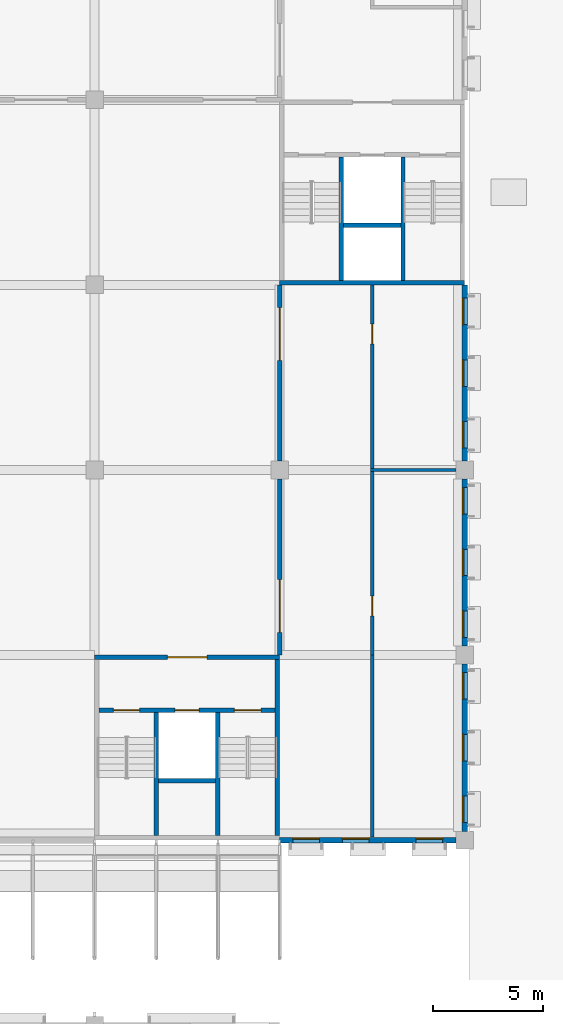
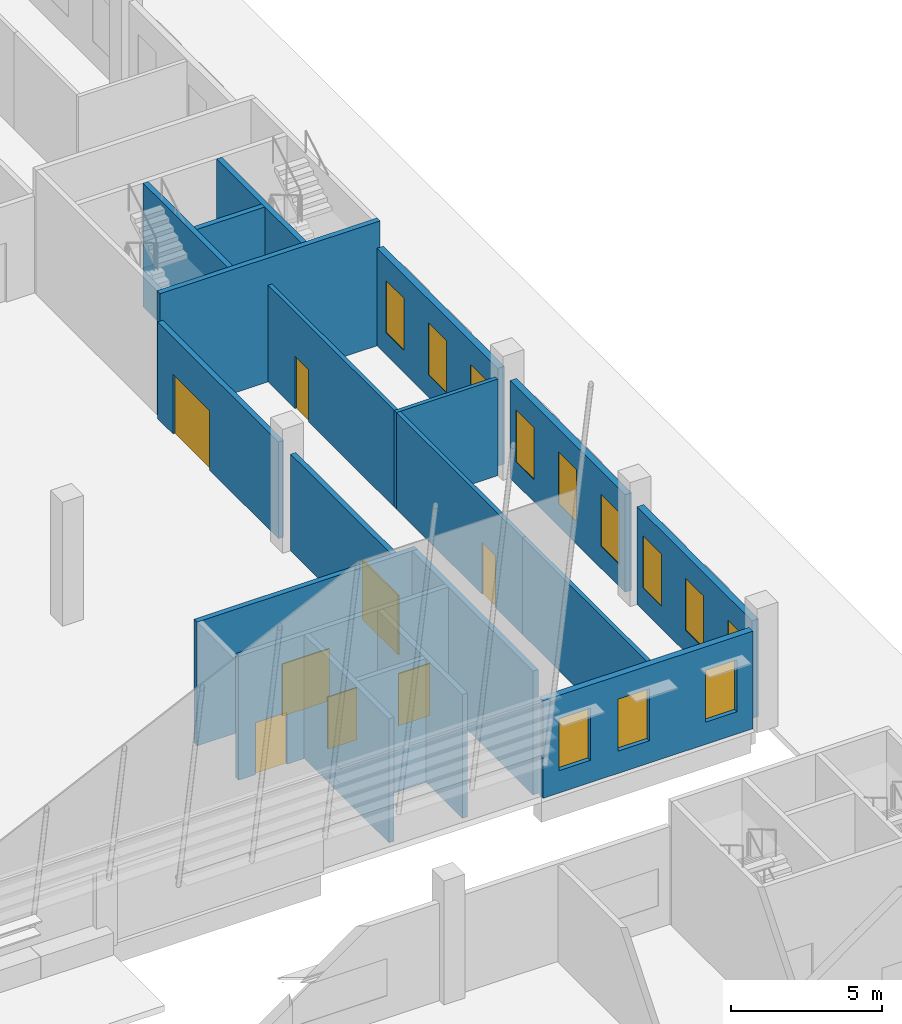
# One storey, part 40 of 101: 20 walls, 12 windows, 8 doors, 20 openings.
"""IFC4 building model written with IfcOpenShell, lengths in metres."""

from ifc_helpers import new_model, si_unit, direction, frame, frame_2d, origin, place, context, subcontext, project, spatial, rectangle, extrude, material, layer, layer_set, type_object, element, fill, save


model = new_model("IFC4")

# Units and contexts
model_context = context("Model", 3, precision=1e-05, world=origin(), true_north=direction((0.0, 1.0)))
body_context = subcontext(model_context, "Body", "Model", "MODEL_VIEW")
ifc_project = project(units=[si_unit("LENGTHUNIT", "METRE"), si_unit("AREAUNIT", "SQUARE_METRE"), si_unit("VOLUMEUNIT", "CUBIC_METRE"), si_unit("PLANEANGLEUNIT", "RADIAN"), si_unit("MASSUNIT", "GRAM", prefix="KILO")], contexts=[model_context])

# Site, building, storey
site_placement = place(None, origin())
site = spatial("IfcSite", under=ifc_project, at=site_placement, CompositionType="ELEMENT")
building_placement = place(site_placement, origin())
building = spatial("IfcBuilding", under=site, at=building_placement, Name="Almond Square Museum", CompositionType="ELEMENT")
storey_placement = place(building_placement, frame((0.0, 0.0, 5.5)))
storey = spatial("IfcBuildingStorey", under=building, at=storey_placement, Name="L01", CompositionType="ELEMENT", Elevation=5.5)

# Wall, opening, door
ifc_material_1 = material(Name="Painted gypsum board on steel stud", Category="steel")
ifc_layer_1 = layer(ifc_material_1, 0.199951171875)
ifc_layer_set_1 = layer_set([ifc_layer_1], Name="Painted gypsum board on steel stud")
wall_type_1 = type_object("IfcWallType", Name="Gallery wall 200 painted board on stud", PredefinedType="PARTITIONING", material=ifc_layer_set_1)
wall_1_placement = place(storey_placement, frame((148.800048828125, 58.800048828125, 0.0), z_axis=(0.0, 0.0, 1.0), x_axis=(0.0, 1.0, 0.0)))
wall_1 = element("IfcWall", 1, at=wall_1_placement, inside=storey, type_object=wall_type_1, Name="L01 partition 37", PredefinedType="PARTITIONING", context=body_context, shape_type="SweptSolid", body=[
    extrude(rectangle(XDim=8.0, YDim=0.199951171875, at=frame_2d((4.0, 0.0))), origin(), (0.0, 0.0, 1.0), 3.89990234375),
])
opening_1_placement = place(wall_1_placement, frame((1.02490234375, 0.0, 0.0)))
opening_1 = element("IfcOpeningElement", 2, at=opening_1_placement, cuts=wall_1, Name="Opening D1149", PredefinedType="OPENING", context=body_context, shape_type="SweptSolid", body=[
    extrude(rectangle(XDim=2.39990234375, YDim=2.39990234375, at=frame_2d((1.199951171875, 1.199951171875))), frame((0.0, 0.10986328125, 0.0), z_axis=(0.0, -1.0, 0.0), x_axis=(1.0, 0.0, 0.0)), (0.0, 0.0, 1.0), 0.219970703125),
])
ifc_material_2 = material(Name="Timber", Category="wood")
door_type_1 = type_object("IfcDoorType", Name="Gallery door 2400 x 2400 timber double", OperationType="NOTDEFINED", PredefinedType="DOOR", material=ifc_material_2)
door_1_placement = place(opening_1_placement, origin())
door_1 = element("IfcDoor", 3, at=door_1_placement, inside=storey, type_object=door_type_1, Name="L01 door Collection Gallery to Wing Corridor 2", OperationType="DOUBLE_DOOR_SINGLE_SWING", OverallHeight=2.39990234375, OverallWidth=2.39990234375, PredefinedType="DOOR", context=body_context, shape_type="SweptSolid", body=[
    extrude(rectangle(XDim=2.39990234375, YDim=2.39990234375, at=frame_2d((1.199951171875, 1.199951171875))), frame((0.0, 0.02490234375, 0.0), z_axis=(0.0, -1.0, 0.0), x_axis=(1.0, 0.0, 0.0)), (0.0, 0.0, 1.0), 0.050048828125),
])
fill(opening_1, door_1)

wall_2_placement = place(storey_placement, frame((148.800048828125, 67.60009765625, 0.0), z_axis=(0.0, 0.0, 1.0), x_axis=(0.0, 1.0, 0.0)))
wall_2 = element("IfcWall", 4, at=wall_2_placement, inside=storey, type_object=wall_type_1, Name="L01 partition 38", PredefinedType="PARTITIONING", context=body_context, shape_type="SweptSolid", body=[
    extrude(rectangle(XDim=8.0, YDim=0.199951171875, at=frame_2d((4.0, 0.0))), origin(), (0.0, 0.0, 1.0), 3.89990234375),
])
opening_2_placement = place(wall_2_placement, frame((4.574951171875, 0.0, 0.0)))
opening_2 = element("IfcOpeningElement", 5, at=opening_2_placement, cuts=wall_2, Name="Opening D1150", PredefinedType="OPENING", context=body_context, shape_type="SweptSolid", body=[
    extrude(rectangle(XDim=2.39990234375, YDim=2.39990234375, at=frame_2d((1.199951171875, 1.199951171875))), frame((0.0, 0.10986328125, 0.0), z_axis=(0.0, -1.0, 0.0), x_axis=(1.0, 0.0, 0.0)), (0.0, 0.0, 1.0), 0.219970703125),
])
door_2_placement = place(opening_2_placement, origin())
door_2 = element("IfcDoor", 6, at=door_2_placement, inside=storey, type_object=door_type_1, Name="L01 door Collection Gallery to Wing Corridor 2", OperationType="DOUBLE_DOOR_SINGLE_SWING", OverallHeight=2.39990234375, OverallWidth=2.39990234375, PredefinedType="DOOR", context=body_context, shape_type="SweptSolid", body=[
    extrude(rectangle(XDim=2.39990234375, YDim=2.39990234375, at=frame_2d((1.199951171875, 1.199951171875))), frame((0.0, 0.02490234375, 0.0), z_axis=(0.0, -1.0, 0.0), x_axis=(1.0, 0.0, 0.0)), (0.0, 0.0, 1.0), 0.050048828125),
])
fill(opening_2, door_2)

ifc_material_3 = material(Name="Plasterboard on steel stud", Category="steel")
ifc_layer_2 = layer(ifc_material_3, 0.14990234375)
ifc_layer_set_2 = layer_set([ifc_layer_2], Name="Plasterboard on steel stud")
wall_type_2 = type_object("IfcWallType", Name="Partition 150 plasterboard on steel stud", PredefinedType="PARTITIONING", material=ifc_layer_set_2)
wall_3_placement = place(storey_placement, frame((153.0, 67.27490234375, 0.0), z_axis=(0.0, 0.0, 1.0), x_axis=(0.0, 1.0, 0.0)))
wall_3 = element("IfcWall", 7, at=wall_3_placement, inside=storey, type_object=wall_type_2, Name="L01 partition 35", PredefinedType="PARTITIONING", context=body_context, shape_type="SweptSolid", body=[
    extrude(rectangle(XDim=8.3251953125, YDim=0.14990234375, at=frame_2d((4.16259765625, 0.0))), origin(), (0.0, 0.0, 1.0), 3.89990234375),
])
opening_3_placement = place(wall_3_placement, frame((5.64990234375, 0.0, 0.0)))
opening_3 = element("IfcOpeningElement", 8, at=opening_3_placement, cuts=wall_3, Name="Opening D1110", PredefinedType="OPENING", context=body_context, shape_type="SweptSolid", body=[
    extrude(rectangle(XDim=0.89990234375, YDim=2.10009765625, at=frame_2d((0.449951171875, 1.050048828125))), frame((0.0, 0.0849609375, 0.0), z_axis=(0.0, -1.0, 0.0), x_axis=(1.0, 0.0, 0.0)), (0.0, 0.0, 1.0), 0.169921875),
])
ifc_material_4 = material(Name="Timber", Category="wood")
door_type_2 = type_object("IfcDoorType", Name="Door 900 x 2100 timber single", OperationType="NOTDEFINED", PredefinedType="DOOR", material=ifc_material_4)
door_3_placement = place(opening_3_placement, origin())
door_3 = element("IfcDoor", 9, at=door_3_placement, inside=storey, type_object=door_type_2, Name="L01 door Staff Meeting Room 1 to Wing Corridor 2", OperationType="SINGLE_SWING_RIGHT", OverallHeight=2.10009765625, OverallWidth=0.89990234375, PredefinedType="DOOR", context=body_context, shape_type="SweptSolid", body=[
    extrude(rectangle(XDim=0.89990234375, YDim=2.10009765625, at=frame_2d((0.449951171875, 1.050048828125))), frame((0.0, 0.02490234375, 0.0), z_axis=(0.0, -1.0, 0.0), x_axis=(1.0, 0.0, 0.0)), (0.0, 0.0, 1.0), 0.050048828125),
])
fill(opening_3, door_3)

# Walls
wall_4_placement = place(storey_placement, frame((152.925048828125, 67.199951171875, 0.0), z_axis=(0.0, 0.0, 1.0), x_axis=(1.0, 0.0, 0.0)))
element("IfcWall", 10, at=wall_4_placement, inside=storey, type_object=wall_type_2, Name="L01 partition 36", PredefinedType="PARTITIONING", context=body_context, shape_type="SweptSolid", body=[
    extrude(rectangle(XDim=3.875, YDim=0.14990234375, at=frame_2d((1.9375, 0.0))), origin(), (0.0, 0.0, 1.0), 3.89990234375),
])
wall_5_placement = place(storey_placement, frame((153.0, 50.550048828125, 0.0), z_axis=(0.0, 0.0, 1.0), x_axis=(0.0, 1.0, 0.0)))
element("IfcWall", 11, at=wall_5_placement, inside=storey, type_object=wall_type_2, Name="L01 partition 39", PredefinedType="PARTITIONING", context=body_context, shape_type="SweptSolid", body=[
    extrude(rectangle(XDim=8.25, YDim=0.14990234375, at=frame_2d((4.125, 0.0))), origin(), (0.0, 0.0, 1.0), 3.89990234375),
])

# Wall, opening, door
wall_6_placement = place(storey_placement, frame((153.0, 58.800048828125, 0.0), z_axis=(0.0, 0.0, 1.0), x_axis=(0.0, 1.0, 0.0)))
wall_6 = element("IfcWall", 12, at=wall_6_placement, inside=storey, type_object=wall_type_2, Name="L01 partition 40", PredefinedType="PARTITIONING", context=body_context, shape_type="SweptSolid", body=[
    extrude(rectangle(XDim=8.324951171875, YDim=0.14990234375, at=frame_2d((4.16259765625, 0.0))), origin(), (0.0, 0.0, 1.0), 3.89990234375),
])
opening_4_placement = place(wall_6_placement, frame((1.77490234375, 0.0, 0.0)))
opening_4 = element("IfcOpeningElement", 13, at=opening_4_placement, cuts=wall_6, Name="Opening D1114", PredefinedType="OPENING", context=body_context, shape_type="SweptSolid", body=[
    extrude(rectangle(XDim=0.89990234375, YDim=2.10009765625, at=frame_2d((0.449951171875, 1.050048828125))), frame((0.0, 0.0849609375, 0.0), z_axis=(0.0, -1.0, 0.0), x_axis=(1.0, 0.0, 0.0)), (0.0, 0.0, 1.0), 0.169921875),
])
door_4_placement = place(opening_4_placement, origin())
door_4 = element("IfcDoor", 14, at=door_4_placement, inside=storey, type_object=door_type_2, Name="L01 door Administration Office to Wing Corridor 2", OperationType="SINGLE_SWING_LEFT", OverallHeight=2.10009765625, OverallWidth=0.89990234375, PredefinedType="DOOR", context=body_context, shape_type="SweptSolid", body=[
    extrude(rectangle(XDim=0.89990234375, YDim=2.10009765625, at=frame_2d((0.449951171875, 1.050048828125))), frame((0.0, 0.02490234375, 0.0), z_axis=(0.0, -1.0, 0.0), x_axis=(1.0, 0.0, 0.0)), (0.0, 0.0, 1.0), 0.050048828125),
])
fill(opening_4, door_4)

# Wall, openings, windows
ifc_material_5 = material(Name="Precast concrete C40/50", Category="concrete")
ifc_layer_3 = layer(ifc_material_5, 0.25)
ifc_layer_set_3 = layer_set([ifc_layer_3], Name="Precast concrete C40/50")
wall_type_3 = type_object("IfcWallType", Name="Precast concrete panel wall 250 with coral limestone piers", PredefinedType="SOLIDWALL", material=ifc_layer_set_3)
wall_7_placement = place(storey_placement, frame((148.800048828125, 50.39990234375, 0.0), z_axis=(0.0, 0.0, 1.0), x_axis=(1.0, 0.0, 0.0)))
wall_7 = element("IfcWall", 15, at=wall_7_placement, inside=storey, type_object=wall_type_3, Name="External wall W2 V4E L01 S01", PredefinedType="SOLIDWALL", context=body_context, shape_type="SweptSolid", body=[
    extrude(rectangle(XDim=8.0, YDim=0.25, at=frame_2d((4.0, 0.0))), origin(), (0.0, 0.0, 1.0), 3.93994140625),
])
opening_5_placement = place(wall_7_placement, frame((0.60009765625, 0.0, 0.89990234375)))
opening_5 = element("IfcOpeningElement", 16, at=opening_5_placement, cuts=wall_7, Name="Opening W1060", PredefinedType="OPENING", context=body_context, shape_type="SweptSolid", body=[
    extrude(rectangle(XDim=1.199951171875, YDim=2.10009765625, at=frame_2d((0.60009765625, 1.050048828125))), frame((0.0, 0.135009765625, 0.0), z_axis=(0.0, -1.0, 0.0), x_axis=(1.0, 0.0, 0.0)), (0.0, 0.0, 1.0), 0.27001953125),
])
opening_6_placement = place(wall_7_placement, frame((2.85009765625, 0.0, 0.89990234375)))
opening_6 = element("IfcOpeningElement", 17, at=opening_6_placement, cuts=wall_7, Name="Opening W1061", PredefinedType="OPENING", context=body_context, shape_type="SweptSolid", body=[
    extrude(rectangle(XDim=1.199951171875, YDim=2.10009765625, at=frame_2d((0.60009765625, 1.050048828125))), frame((0.0, 0.135009765625, 0.0), z_axis=(0.0, -1.0, 0.0), x_axis=(1.0, 0.0, 0.0)), (0.0, 0.0, 1.0), 0.27001953125),
])
opening_7_placement = place(wall_7_placement, frame((6.199951171875, 0.0, 0.89990234375)))
opening_7 = element("IfcOpeningElement", 18, at=opening_7_placement, cuts=wall_7, Name="Opening W1062", PredefinedType="OPENING", context=body_context, shape_type="SweptSolid", body=[
    extrude(rectangle(XDim=1.199951171875, YDim=2.10009765625, at=frame_2d((0.60009765625, 1.050048828125))), frame((0.0, 0.135009765625, 0.0), z_axis=(0.0, -1.0, 0.0), x_axis=(1.0, 0.0, 0.0)), (0.0, 0.0, 1.0), 0.27001953125),
])
ifc_material_6 = material(Name="Anodised aluminium louvre and laminated glass", Category="aluminium")
window_type = type_object("IfcWindowType", Name="Louvred pier window", PartitioningType="SINGLE_PANEL", PredefinedType="WINDOW", material=ifc_material_6)
window_1_placement = place(opening_5_placement, origin())
window_1 = element("IfcWindow", 19, at=window_1_placement, inside=storey, type_object=window_type, Name="Louvred pier window W1060", OverallHeight=2.10009765625, OverallWidth=1.199951171875, PartitioningType="SINGLE_PANEL", PredefinedType="WINDOW", context=body_context, shape_type="SweptSolid", body=[
    extrude(rectangle(XDim=1.199951171875, YDim=2.10009765625, at=frame_2d((0.60009765625, 1.050048828125))), frame((0.0, 0.10498046875, 0.0), z_axis=(0.0, -1.0, 0.0), x_axis=(1.0, 0.0, 0.0)), (0.0, 0.0, 1.0), 0.06005859375),
])
fill(opening_5, window_1)
window_2_placement = place(opening_6_placement, origin())
window_2 = element("IfcWindow", 20, at=window_2_placement, inside=storey, type_object=window_type, Name="Louvred pier window W1061", OverallHeight=2.10009765625, OverallWidth=1.199951171875, PartitioningType="SINGLE_PANEL", PredefinedType="WINDOW", context=body_context, shape_type="SweptSolid", body=[
    extrude(rectangle(XDim=1.199951171875, YDim=2.10009765625, at=frame_2d((0.60009765625, 1.050048828125))), frame((0.0, 0.10498046875, 0.0), z_axis=(0.0, -1.0, 0.0), x_axis=(1.0, 0.0, 0.0)), (0.0, 0.0, 1.0), 0.06005859375),
])
fill(opening_6, window_2)
window_3_placement = place(opening_7_placement, origin())
window_3 = element("IfcWindow", 21, at=window_3_placement, inside=storey, type_object=window_type, Name="Louvred pier window W1062", OverallHeight=2.10009765625, OverallWidth=1.199951171875, PartitioningType="SINGLE_PANEL", PredefinedType="WINDOW", context=body_context, shape_type="SweptSolid", body=[
    extrude(rectangle(XDim=1.199951171875, YDim=2.10009765625, at=frame_2d((0.60009765625, 1.050048828125))), frame((0.0, 0.10498046875, 0.0), z_axis=(0.0, -1.0, 0.0), x_axis=(1.0, 0.0, 0.0)), (0.0, 0.0, 1.0), 0.06005859375),
])
fill(opening_7, window_3)

wall_8_placement = place(storey_placement, frame((157.199951171875, 50.800048828125, 0.0), z_axis=(0.0, 0.0, 1.0), x_axis=(0.0, 1.0, 0.0)))
wall_8 = element("IfcWall", 22, at=wall_8_placement, inside=storey, type_object=wall_type_3, Name="External wall W2 V4E L01 E01", PredefinedType="SOLIDWALL", context=body_context, shape_type="SweptSolid", body=[
    extrude(rectangle(XDim=7.599853515625, YDim=0.25, at=frame_2d((3.7998046875, 0.0))), origin(), (0.0, 0.0, 1.0), 3.93994140625),
])
opening_8_placement = place(wall_8_placement, frame((0.39990234375, 0.0, 0.89990234375)))
opening_8 = element("IfcOpeningElement", 23, at=opening_8_placement, cuts=wall_8, Name="Opening W1063", PredefinedType="OPENING", context=body_context, shape_type="SweptSolid", body=[
    extrude(rectangle(XDim=1.199951171875, YDim=2.10009765625, at=frame_2d((0.60009765625, 1.050048828125))), frame((0.0, 0.135009765625, 0.0), z_axis=(0.0, -1.0, 0.0), x_axis=(1.0, 0.0, 0.0)), (0.0, 0.0, 1.0), 0.27001953125),
])
opening_9_placement = place(wall_8_placement, frame((3.199951171875, 0.0, 0.89990234375)))
opening_9 = element("IfcOpeningElement", 24, at=opening_9_placement, cuts=wall_8, Name="Opening W1064", PredefinedType="OPENING", context=body_context, shape_type="SweptSolid", body=[
    extrude(rectangle(XDim=1.199951171875, YDim=2.10009765625, at=frame_2d((0.60009765625, 1.050048828125))), frame((0.0, 0.135009765625, 0.0), z_axis=(0.0, -1.0, 0.0), x_axis=(1.0, 0.0, 0.0)), (0.0, 0.0, 1.0), 0.27001953125),
])
opening_10_placement = place(wall_8_placement, frame((6.0, 0.0, 0.89990234375)))
opening_10 = element("IfcOpeningElement", 25, at=opening_10_placement, cuts=wall_8, Name="Opening W1065", PredefinedType="OPENING", context=body_context, shape_type="SweptSolid", body=[
    extrude(rectangle(XDim=1.199951171875, YDim=2.10009765625, at=frame_2d((0.60009765625, 1.050048828125))), frame((0.0, 0.135009765625, 0.0), z_axis=(0.0, -1.0, 0.0), x_axis=(1.0, 0.0, 0.0)), (0.0, 0.0, 1.0), 0.27001953125),
])
window_4_placement = place(opening_8_placement, origin())
window_4 = element("IfcWindow", 26, at=window_4_placement, inside=storey, type_object=window_type, Name="Louvred pier window W1063", OverallHeight=2.10009765625, OverallWidth=1.199951171875, PartitioningType="SINGLE_PANEL", PredefinedType="WINDOW", context=body_context, shape_type="SweptSolid", body=[
    extrude(rectangle(XDim=1.199951171875, YDim=2.10009765625, at=frame_2d((0.60009765625, 1.050048828125))), frame((0.0, 0.10498046875, 0.0), z_axis=(0.0, -1.0, 0.0), x_axis=(1.0, 0.0, 0.0)), (0.0, 0.0, 1.0), 0.06005859375),
])
fill(opening_8, window_4)
window_5_placement = place(opening_9_placement, origin())
window_5 = element("IfcWindow", 27, at=window_5_placement, inside=storey, type_object=window_type, Name="Louvred pier window W1064", OverallHeight=2.10009765625, OverallWidth=1.199951171875, PartitioningType="SINGLE_PANEL", PredefinedType="WINDOW", context=body_context, shape_type="SweptSolid", body=[
    extrude(rectangle(XDim=1.199951171875, YDim=2.10009765625, at=frame_2d((0.60009765625, 1.050048828125))), frame((0.0, 0.10498046875, 0.0), z_axis=(0.0, -1.0, 0.0), x_axis=(1.0, 0.0, 0.0)), (0.0, 0.0, 1.0), 0.06005859375),
])
fill(opening_9, window_5)
window_6_placement = place(opening_10_placement, origin())
window_6 = element("IfcWindow", 28, at=window_6_placement, inside=storey, type_object=window_type, Name="Louvred pier window W1065", OverallHeight=2.10009765625, OverallWidth=1.199951171875, PartitioningType="SINGLE_PANEL", PredefinedType="WINDOW", context=body_context, shape_type="SweptSolid", body=[
    extrude(rectangle(XDim=1.199951171875, YDim=2.10009765625, at=frame_2d((0.60009765625, 1.050048828125))), frame((0.0, 0.10498046875, 0.0), z_axis=(0.0, -1.0, 0.0), x_axis=(1.0, 0.0, 0.0)), (0.0, 0.0, 1.0), 0.06005859375),
])
fill(opening_10, window_6)

wall_9_placement = place(storey_placement, frame((157.199951171875, 59.199951171875, 0.0), z_axis=(0.0, 0.0, 1.0), x_axis=(0.0, 1.0, 0.0)))
wall_9 = element("IfcWall", 29, at=wall_9_placement, inside=storey, type_object=wall_type_3, Name="External wall W2 V4E L01 E02", PredefinedType="SOLIDWALL", context=body_context, shape_type="SweptSolid", body=[
    extrude(rectangle(XDim=7.60009765625, YDim=0.25, at=frame_2d((3.800048828125, 0.0))), origin(), (0.0, 0.0, 1.0), 3.93994140625),
])
opening_11_placement = place(wall_9_placement, frame((0.39990234375, 0.0, 0.89990234375)))
opening_11 = element("IfcOpeningElement", 30, at=opening_11_placement, cuts=wall_9, Name="Opening W1066", PredefinedType="OPENING", context=body_context, shape_type="SweptSolid", body=[
    extrude(rectangle(XDim=1.199951171875, YDim=2.10009765625, at=frame_2d((0.60009765625, 1.050048828125))), frame((0.0, 0.135009765625, 0.0), z_axis=(0.0, -1.0, 0.0), x_axis=(1.0, 0.0, 0.0)), (0.0, 0.0, 1.0), 0.27001953125),
])
opening_12_placement = place(wall_9_placement, frame((3.199951171875, 0.0, 0.89990234375)))
opening_12 = element("IfcOpeningElement", 31, at=opening_12_placement, cuts=wall_9, Name="Opening W1067", PredefinedType="OPENING", context=body_context, shape_type="SweptSolid", body=[
    extrude(rectangle(XDim=1.199951171875, YDim=2.10009765625, at=frame_2d((0.60009765625, 1.050048828125))), frame((0.0, 0.135009765625, 0.0), z_axis=(0.0, -1.0, 0.0), x_axis=(1.0, 0.0, 0.0)), (0.0, 0.0, 1.0), 0.27001953125),
])
opening_13_placement = place(wall_9_placement, frame((6.0, 0.0, 0.89990234375)))
opening_13 = element("IfcOpeningElement", 32, at=opening_13_placement, cuts=wall_9, Name="Opening W1068", PredefinedType="OPENING", context=body_context, shape_type="SweptSolid", body=[
    extrude(rectangle(XDim=1.199951171875, YDim=2.10009765625, at=frame_2d((0.60009765625, 1.050048828125))), frame((0.0, 0.135009765625, 0.0), z_axis=(0.0, -1.0, 0.0), x_axis=(1.0, 0.0, 0.0)), (0.0, 0.0, 1.0), 0.27001953125),
])
window_7_placement = place(opening_11_placement, origin())
window_7 = element("IfcWindow", 33, at=window_7_placement, inside=storey, type_object=window_type, Name="Louvred pier window W1066", OverallHeight=2.10009765625, OverallWidth=1.199951171875, PartitioningType="SINGLE_PANEL", PredefinedType="WINDOW", context=body_context, shape_type="SweptSolid", body=[
    extrude(rectangle(XDim=1.199951171875, YDim=2.10009765625, at=frame_2d((0.60009765625, 1.050048828125))), frame((0.0, 0.10498046875, 0.0), z_axis=(0.0, -1.0, 0.0), x_axis=(1.0, 0.0, 0.0)), (0.0, 0.0, 1.0), 0.06005859375),
])
fill(opening_11, window_7)
window_8_placement = place(opening_12_placement, origin())
window_8 = element("IfcWindow", 34, at=window_8_placement, inside=storey, type_object=window_type, Name="Louvred pier window W1067", OverallHeight=2.10009765625, OverallWidth=1.199951171875, PartitioningType="SINGLE_PANEL", PredefinedType="WINDOW", context=body_context, shape_type="SweptSolid", body=[
    extrude(rectangle(XDim=1.199951171875, YDim=2.10009765625, at=frame_2d((0.60009765625, 1.050048828125))), frame((0.0, 0.10498046875, 0.0), z_axis=(0.0, -1.0, 0.0), x_axis=(1.0, 0.0, 0.0)), (0.0, 0.0, 1.0), 0.06005859375),
])
fill(opening_12, window_8)
window_9_placement = place(opening_13_placement, origin())
window_9 = element("IfcWindow", 35, at=window_9_placement, inside=storey, type_object=window_type, Name="Louvred pier window W1068", OverallHeight=2.10009765625, OverallWidth=1.199951171875, PartitioningType="SINGLE_PANEL", PredefinedType="WINDOW", context=body_context, shape_type="SweptSolid", body=[
    extrude(rectangle(XDim=1.199951171875, YDim=2.10009765625, at=frame_2d((0.60009765625, 1.050048828125))), frame((0.0, 0.10498046875, 0.0), z_axis=(0.0, -1.0, 0.0), x_axis=(1.0, 0.0, 0.0)), (0.0, 0.0, 1.0), 0.06005859375),
])
fill(opening_13, window_9)

wall_10_placement = place(storey_placement, frame((157.199951171875, 67.60009765625, 0.0), z_axis=(0.0, 0.0, 1.0), x_axis=(0.0, 1.0, 0.0)))
wall_10 = element("IfcWall", 36, at=wall_10_placement, inside=storey, type_object=wall_type_3, Name="External wall W2 V4E L01 E03", PredefinedType="SOLIDWALL", context=body_context, shape_type="SweptSolid", body=[
    extrude(rectangle(XDim=8.0, YDim=0.25, at=frame_2d((4.0, 0.0))), origin(), (0.0, 0.0, 1.0), 3.93994140625),
])
opening_14_placement = place(wall_10_placement, frame((0.60009765625, 0.0, 0.89990234375)))
opening_14 = element("IfcOpeningElement", 37, at=opening_14_placement, cuts=wall_10, Name="Opening W1069", PredefinedType="OPENING", context=body_context, shape_type="SweptSolid", body=[
    extrude(rectangle(XDim=1.199951171875, YDim=2.10009765625, at=frame_2d((0.60009765625, 1.050048828125))), frame((0.0, 0.135009765625, 0.0), z_axis=(0.0, -1.0, 0.0), x_axis=(1.0, 0.0, 0.0)), (0.0, 0.0, 1.0), 0.27001953125),
])
opening_15_placement = place(wall_10_placement, frame((3.39990234375, 0.0, 0.89990234375)))
opening_15 = element("IfcOpeningElement", 38, at=opening_15_placement, cuts=wall_10, Name="Opening W1070", PredefinedType="OPENING", context=body_context, shape_type="SweptSolid", body=[
    extrude(rectangle(XDim=1.199951171875, YDim=2.10009765625, at=frame_2d((0.60009765625, 1.050048828125))), frame((0.0, 0.135009765625, 0.0), z_axis=(0.0, -1.0, 0.0), x_axis=(1.0, 0.0, 0.0)), (0.0, 0.0, 1.0), 0.27001953125),
])
opening_16_placement = place(wall_10_placement, frame((6.199951171875, 0.0, 0.89990234375)))
opening_16 = element("IfcOpeningElement", 39, at=opening_16_placement, cuts=wall_10, Name="Opening W1071", PredefinedType="OPENING", context=body_context, shape_type="SweptSolid", body=[
    extrude(rectangle(XDim=1.199951171875, YDim=2.10009765625, at=frame_2d((0.60009765625, 1.050048828125))), frame((0.0, 0.135009765625, 0.0), z_axis=(0.0, -1.0, 0.0), x_axis=(1.0, 0.0, 0.0)), (0.0, 0.0, 1.0), 0.27001953125),
])
window_10_placement = place(opening_14_placement, origin())
window_10 = element("IfcWindow", 40, at=window_10_placement, inside=storey, type_object=window_type, Name="Louvred pier window W1069", OverallHeight=2.10009765625, OverallWidth=1.199951171875, PartitioningType="SINGLE_PANEL", PredefinedType="WINDOW", context=body_context, shape_type="SweptSolid", body=[
    extrude(rectangle(XDim=1.199951171875, YDim=2.10009765625, at=frame_2d((0.60009765625, 1.050048828125))), frame((0.0, 0.10498046875, 0.0), z_axis=(0.0, -1.0, 0.0), x_axis=(1.0, 0.0, 0.0)), (0.0, 0.0, 1.0), 0.06005859375),
])
fill(opening_14, window_10)
window_11_placement = place(opening_15_placement, origin())
window_11 = element("IfcWindow", 41, at=window_11_placement, inside=storey, type_object=window_type, Name="Louvred pier window W1070", OverallHeight=2.10009765625, OverallWidth=1.199951171875, PartitioningType="SINGLE_PANEL", PredefinedType="WINDOW", context=body_context, shape_type="SweptSolid", body=[
    extrude(rectangle(XDim=1.199951171875, YDim=2.10009765625, at=frame_2d((0.60009765625, 1.050048828125))), frame((0.0, 0.10498046875, 0.0), z_axis=(0.0, -1.0, 0.0), x_axis=(1.0, 0.0, 0.0)), (0.0, 0.0, 1.0), 0.06005859375),
])
fill(opening_15, window_11)
window_12_placement = place(opening_16_placement, origin())
window_12 = element("IfcWindow", 42, at=window_12_placement, inside=storey, type_object=window_type, Name="Louvred pier window W1071", OverallHeight=2.10009765625, OverallWidth=1.199951171875, PartitioningType="SINGLE_PANEL", PredefinedType="WINDOW", context=body_context, shape_type="SweptSolid", body=[
    extrude(rectangle(XDim=1.199951171875, YDim=2.10009765625, at=frame_2d((0.60009765625, 1.050048828125))), frame((0.0, 0.10498046875, 0.0), z_axis=(0.0, -1.0, 0.0), x_axis=(1.0, 0.0, 0.0)), (0.0, 0.0, 1.0), 0.06005859375),
])
fill(opening_16, window_12)

# Wall, opening, door
ifc_material_7 = material(Name="Concrete C40/50", Category="concrete")
ifc_layer_4 = layer(ifc_material_7, 0.199951171875)
ifc_layer_set_4 = layer_set([ifc_layer_4], Name="Concrete C40/50")
wall_type_4 = type_object("IfcWallType", Name="RC shear wall 200 C40/50", PredefinedType="SHEAR", material=ifc_layer_set_4)
wall_11_placement = place(storey_placement, frame((140.39990234375, 58.699951171875, 0.0), z_axis=(0.0, 0.0, 1.0), x_axis=(1.0, 0.0, 0.0)))
wall_11 = element("IfcWall", 43, at=wall_11_placement, inside=storey, type_object=wall_type_4, Name="Core H2 north wall L01", PredefinedType="SHEAR", context=body_context, shape_type="SweptSolid", body=[
    extrude(rectangle(XDim=8.400146484375, YDim=0.199951171875, at=frame_2d((4.2001953125, 0.0))), origin(), (0.0, 0.0, 1.0), 5.0),
])
opening_17_placement = place(wall_11_placement, frame((3.300048828125, 0.0, 0.0)))
opening_17 = element("IfcOpeningElement", 44, at=opening_17_placement, cuts=wall_11, Name="Opening D1154", PredefinedType="OPENING", context=body_context, shape_type="SweptSolid", body=[
    extrude(rectangle(XDim=1.800048828125, YDim=2.10009765625, at=frame_2d((0.89990234375, 1.050048828125))), frame((0.0, 0.10986328125, 0.0), z_axis=(0.0, -1.0, 0.0), x_axis=(1.0, 0.0, 0.0)), (0.0, 0.0, 1.0), 0.219970703125),
])
ifc_material_8 = material(Name="Steel", Category="steel")
door_type_3 = type_object("IfcDoorType", Name="Fire door 1800 x 2100 FD60 double", OperationType="NOTDEFINED", PredefinedType="DOOR", material=ifc_material_8)
door_5_placement = place(opening_17_placement, origin())
door_5 = element("IfcDoor", 45, at=door_5_placement, inside=storey, type_object=door_type_3, Name="L01 stair core H2 lobby door", OperationType="DOUBLE_DOOR_SINGLE_SWING", OverallHeight=2.10009765625, OverallWidth=1.800048828125, PredefinedType="DOOR", context=body_context, shape_type="SweptSolid", body=[
    extrude(rectangle(XDim=1.800048828125, YDim=2.10009765625, at=frame_2d((0.89990234375, 1.050048828125))), frame((0.0, 0.02490234375, 0.0), z_axis=(0.0, -1.0, 0.0), x_axis=(1.0, 0.0, 0.0)), (0.0, 0.0, 1.0), 0.050048828125),
])
fill(opening_17, door_5)

# Wall
wall_12_placement = place(storey_placement, frame((148.699951171875, 50.60009765625, 0.0), z_axis=(0.0, 0.0, 1.0), x_axis=(0.0, 1.0, 0.0)))
element("IfcWall", 46, at=wall_12_placement, inside=storey, type_object=wall_type_4, Name="Core H2 east wall L01", PredefinedType="SHEAR", context=body_context, shape_type="SweptSolid", body=[
    extrude(rectangle(XDim=8.0, YDim=0.199951171875, at=frame_2d((4.0, 0.0))), origin(), (0.0, 0.0, 1.0), 5.0),
])

# Wall, openings, doors
wall_13_placement = place(storey_placement, frame((140.60009765625, 56.300048828125, 0.0), z_axis=(0.0, 0.0, 1.0), x_axis=(1.0, 0.0, 0.0)))
wall_13 = element("IfcWall", 47, at=wall_13_placement, inside=storey, type_object=wall_type_4, Name="Core H2 lobby wall L01", PredefinedType="SHEAR", context=body_context, shape_type="SweptSolid", body=[
    extrude(rectangle(XDim=8.0, YDim=0.199951171875, at=frame_2d((4.0, 0.0))), origin(), (0.0, 0.0, 1.0), 5.0),
])
opening_18_placement = place(wall_13_placement, frame((0.64990234375, 0.0, 0.0)))
opening_18 = element("IfcOpeningElement", 48, at=opening_18_placement, cuts=wall_13, Name="Opening D1155", PredefinedType="OPENING", context=body_context, shape_type="SweptSolid", body=[
    extrude(rectangle(XDim=1.199951171875, YDim=2.10009765625, at=frame_2d((0.60009765625, 1.050048828125))), frame((0.0, 0.10986328125, 0.0), z_axis=(0.0, -1.0, 0.0), x_axis=(1.0, 0.0, 0.0)), (0.0, 0.0, 1.0), 0.219970703125),
])
opening_19_placement = place(wall_13_placement, frame((6.14990234375, 0.0, 0.0)))
opening_19 = element("IfcOpeningElement", 49, at=opening_19_placement, cuts=wall_13, Name="Opening D1156", PredefinedType="OPENING", context=body_context, shape_type="SweptSolid", body=[
    extrude(rectangle(XDim=1.199951171875, YDim=2.10009765625, at=frame_2d((0.60009765625, 1.050048828125))), frame((0.0, 0.10986328125, 0.0), z_axis=(0.0, -1.0, 0.0), x_axis=(1.0, 0.0, 0.0)), (0.0, 0.0, 1.0), 0.219970703125),
])
opening_20_placement = place(wall_13_placement, frame((3.449951171875, 0.0, 0.0)))
opening_20 = element("IfcOpeningElement", 50, at=opening_20_placement, cuts=wall_13, Name="Opening D1157", PredefinedType="OPENING", context=body_context, shape_type="SweptSolid", body=[
    extrude(rectangle(XDim=1.10009765625, YDim=2.10009765625, at=frame_2d((0.550048828125, 1.050048828125))), frame((0.0, 0.10986328125, 0.0), z_axis=(0.0, -1.0, 0.0), x_axis=(1.0, 0.0, 0.0)), (0.0, 0.0, 1.0), 0.219970703125),
])
ifc_material_9 = material(Name="Steel", Category="steel")
door_type_4 = type_object("IfcDoorType", Name="Fire door 1200 x 2100 FD120 stair", OperationType="NOTDEFINED", PredefinedType="DOOR", material=ifc_material_9)
door_6_placement = place(opening_18_placement, origin())
door_6 = element("IfcDoor", 51, at=door_6_placement, inside=storey, type_object=door_type_4, Name="L01 stair H2-1 door", OperationType="SINGLE_SWING_LEFT", OverallHeight=2.10009765625, OverallWidth=1.199951171875, PredefinedType="DOOR", context=body_context, shape_type="SweptSolid", body=[
    extrude(rectangle(XDim=1.199951171875, YDim=2.10009765625, at=frame_2d((0.60009765625, 1.050048828125))), frame((0.0, 0.02490234375, 0.0), z_axis=(0.0, -1.0, 0.0), x_axis=(1.0, 0.0, 0.0)), (0.0, 0.0, 1.0), 0.050048828125),
])
fill(opening_18, door_6)
door_7_placement = place(opening_19_placement, origin())
door_7 = element("IfcDoor", 52, at=door_7_placement, inside=storey, type_object=door_type_4, Name="L01 stair H2-2 door", OperationType="SINGLE_SWING_RIGHT", OverallHeight=2.10009765625, OverallWidth=1.199951171875, PredefinedType="DOOR", context=body_context, shape_type="SweptSolid", body=[
    extrude(rectangle(XDim=1.199951171875, YDim=2.10009765625, at=frame_2d((0.60009765625, 1.050048828125))), frame((0.0, 0.02490234375, 0.0), z_axis=(0.0, -1.0, 0.0), x_axis=(1.0, 0.0, 0.0)), (0.0, 0.0, 1.0), 0.050048828125),
])
fill(opening_19, door_7)
ifc_material_10 = material(Name="Stainless steel", Category="steel")
door_type_5 = type_object("IfcDoorType", Name="Lift landing door 1100 x 2100", OperationType="NOTDEFINED", PredefinedType="DOOR", material=ifc_material_10)
door_8_placement = place(opening_20_placement, origin())
door_8 = element("IfcDoor", 53, at=door_8_placement, inside=storey, type_object=door_type_5, Name="L01 lift PL-H2 landing door", OperationType="DOUBLE_DOOR_SLIDING", OverallHeight=2.10009765625, OverallWidth=1.10009765625, PredefinedType="DOOR", context=body_context, shape_type="SweptSolid", body=[
    extrude(rectangle(XDim=1.10009765625, YDim=2.10009765625, at=frame_2d((0.550048828125, 1.050048828125))), frame((0.0, 0.02490234375, 0.0), z_axis=(0.0, -1.0, 0.0), x_axis=(1.0, 0.0, 0.0)), (0.0, 0.0, 1.0), 0.050048828125),
])
fill(opening_20, door_8)

# Walls
for number, where, z_axis, x_axis, name in (
    (54, (143.199951171875, 50.60009765625, 0.0), (0.0, 0.0, 1.0), (0.0, 1.0, 0.0), "Core H2 partition wall L01"),
    (55, (146.0, 50.60009765625, 0.0), (0.0, 0.0, 1.0), (0.0, 1.0, 0.0), "Core H2 partition wall L01"),
):
    element("IfcWall", number, at=place(storey_placement, frame(where, z_axis=z_axis, x_axis=x_axis)), inside=storey, type_object=wall_type_4, Name=name, PredefinedType="SHEAR", context=body_context, shape_type="SweptSolid", body=[
        extrude(rectangle(XDim=5.599853515625, YDim=0.199951171875, at=frame_2d((2.7998046875, 0.0))), origin(), (0.0, 0.0, 1.0), 5.0),
    ])
wall_14_placement = place(storey_placement, frame((143.300048828125, 53.10009765625, 0.0), z_axis=(0.0, 0.0, 1.0), x_axis=(1.0, 0.0, 0.0)))
element("IfcWall", 56, at=wall_14_placement, inside=storey, type_object=wall_type_4, Name="Core H2 partition wall L01", PredefinedType="SHEAR", context=body_context, shape_type="SweptSolid", body=[
    extrude(rectangle(XDim=2.599853515625, YDim=0.199951171875, at=frame_2d((1.2998046875, 0.0))), origin(), (0.0, 0.0, 1.0), 5.0),
])
wall_15_placement = place(storey_placement, frame((148.800048828125, 75.699951171875, 0.0), z_axis=(0.0, 0.0, 1.0), x_axis=(1.0, 0.0, 0.0)))
element("IfcWall", 57, at=wall_15_placement, inside=storey, type_object=wall_type_4, Name="Core E1 south wall L01", PredefinedType="SHEAR", context=body_context, shape_type="SweptSolid", body=[
    extrude(rectangle(XDim=8.39990234375, YDim=0.199951171875, at=frame_2d((4.199951171875, 0.0))), origin(), (0.0, 0.0, 1.0), 5.0),
])
for number, where, z_axis, x_axis, name in (
    (58, (151.60009765625, 75.800048828125, 0.0), (0.0, 0.0, 1.0), (0.0, 1.0, 0.0), "Core E1 partition wall L01"),
    (59, (154.39990234375, 75.800048828125, 0.0), (0.0, 0.0, 1.0), (0.0, 1.0, 0.0), "Core E1 partition wall L01"),
):
    element("IfcWall", number, at=place(storey_placement, frame(where, z_axis=z_axis, x_axis=x_axis)), inside=storey, type_object=wall_type_4, Name=name, PredefinedType="SHEAR", context=body_context, shape_type="SweptSolid", body=[
        extrude(rectangle(XDim=5.599853515625, YDim=0.199951171875, at=frame_2d((2.7998046875, 0.0))), origin(), (0.0, 0.0, 1.0), 5.0),
    ])
wall_16_placement = place(storey_placement, frame((151.699951171875, 78.300048828125, 0.0), z_axis=(0.0, 0.0, 1.0), x_axis=(1.0, 0.0, 0.0)))
element("IfcWall", 60, at=wall_16_placement, inside=storey, type_object=wall_type_4, Name="Core E1 partition wall L01", PredefinedType="SHEAR", context=body_context, shape_type="SweptSolid", body=[
    extrude(rectangle(XDim=2.60009765625, YDim=0.199951171875, at=frame_2d((1.300048828125, 0.0))), origin(), (0.0, 0.0, 1.0), 5.0),
])

save(model, "model.ifc")
